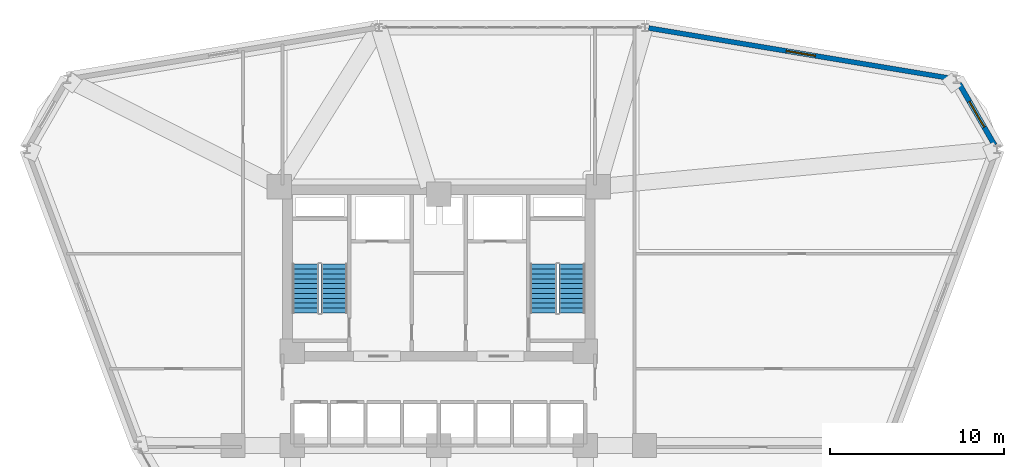
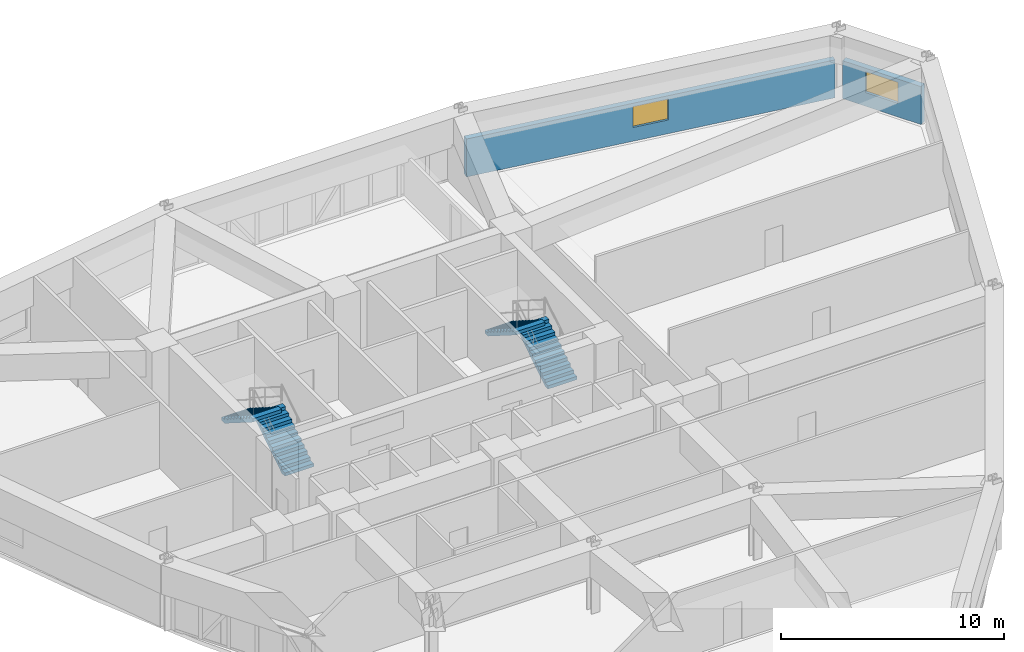
# One storey, part 16 of 18: 4 stair flights, 2 walls, 2 windows, 2 openings, 2 elements without a shape of their own.
"""IFC4 building model written with IfcOpenShell, lengths in metres."""

from ifc_helpers import new_model, si_unit, derived_unit, direction, frame, frame_2d, origin, place, context, subcontext, project, spatial, polyline, rectangle, outline, extrude, material, layer, layer_set, type_object, element, fill, aggregate, save


model = new_model("IFC4")

# Units and contexts
model_context = context("Model", 3, precision=1e-05, world=origin(), true_north=direction((0.0, 1.0)))
body_context = subcontext(model_context, "Body", "Model", "MODEL_VIEW")
ifc_project = project(units=[si_unit("LENGTHUNIT", "METRE"), si_unit("AREAUNIT", "SQUARE_METRE"), si_unit("VOLUMEUNIT", "CUBIC_METRE"), si_unit("PLANEANGLEUNIT", "RADIAN"), si_unit("MASSUNIT", "GRAM", prefix="KILO"), derived_unit("THERMALTRANSMITTANCEUNIT", [(si_unit("POWERUNIT", "WATT"), 1), (si_unit("LENGTHUNIT", "METRE"), -2), (si_unit("THERMODYNAMICTEMPERATUREUNIT", "KELVIN"), -1)])], contexts=[model_context])

# Site, building, storey
site_placement = place(None, origin())
site = spatial("IfcSite", under=ifc_project, at=site_placement, CompositionType="ELEMENT")
building_placement = place(site_placement, origin())
building = spatial("IfcBuilding", under=site, at=building_placement, Name="Korsvarv Bourse and Concert Hall", CompositionType="ELEMENT")
storey_placement = place(building_placement, frame((0.0, 0.0, 71.699951171875)))
storey = spatial("IfcBuildingStorey", under=building, at=storey_placement, Name="L17", CompositionType="ELEMENT", Elevation=71.699951171875)

# Wall, opening, window
ifc_material_1 = material(Name="Precast concrete C45/55 with terracotta rainscreen", Category="concrete")
ifc_layer_1 = layer(ifc_material_1, 0.300048828125)
ifc_layer_set_1 = layer_set([ifc_layer_1], Name="Precast concrete C45/55 with terracotta rainscreen")
wall_type_1 = type_object("IfcWallType", Name="WL-EXT-TC1", PredefinedType="SOLIDWALL", material=ifc_layer_set_1)
wall_1_placement = place(storey_placement, frame((67.876953125, 49.624267578125, 0.0), z_axis=(0.0, 0.0, 1.0), x_axis=(-0.500014317814, 0.866017137233, 0.0)))
wall_1 = element("IfcWall", 1, at=wall_1_placement, inside=storey, type_object=wall_type_1, Name="L17 terracotta exterior wall EW-L17-B01", PredefinedType="SOLIDWALL", context=body_context, shape_type="SweptSolid", body=[
    extrude(rectangle(XDim=4.0791015625, YDim=0.300048828125, at=frame_2d((2.03955078125, 0.0))), origin(), (0.0, 0.0, 1.0), 2.080078125),
])
opening_1_placement = place(wall_1_placement, frame((1.189453125, 0.0, 0.75)))
opening_1 = element("IfcOpeningElement", 2, at=opening_1_placement, cuts=wall_1, Name="Opening W-06", PredefinedType="OPENING", context=body_context, shape_type="SweptSolid", body=[
    extrude(rectangle(XDim=1.699951171875, YDim=1.14990234375, at=frame_2d((0.85009765625, 0.574951171875))), frame((0.0, 0.16015625, 0.0), z_axis=(0.0, -1.0, 0.0), x_axis=(1.0, 0.0, 0.0)), (0.0, 0.0, 1.0), 0.320068359375),
])
ifc_material_2 = material(Name="Thermally broken aluminium frame with triple low-E glass", Category="glass")
window_type = type_object("IfcWindowType", Name="WIN-TW1-1700X1150", PartitioningType="SINGLE_PANEL", PredefinedType="WINDOW", material=ifc_material_2)
window_1_placement = place(opening_1_placement, origin())
window_1 = element("IfcWindow", 3, at=window_1_placement, inside=storey, type_object=window_type, Name="L17 punched facade window W-06", OverallHeight=1.14990234375, OverallWidth=1.699951171875, PartitioningType="SINGLE_PANEL", PredefinedType="WINDOW", context=body_context, shape_type="SweptSolid", body=[
    extrude(rectangle(XDim=1.699951171875, YDim=1.14990234375, at=frame_2d((0.85009765625, 0.574951171875))), frame((0.0, 0.030029296875, 0.0), z_axis=(0.0, -1.0, 0.0), x_axis=(1.0, 0.0, 0.0)), (0.0, 0.0, 1.0), 0.06005859375),
])
fill(opening_1, window_1)

ifc_material_3 = material(Name="Precast concrete C45/55 with fluted terracotta pier", Category="concrete")
ifc_layer_2 = layer(ifc_material_3, 0.280029296875)
ifc_layer_set_2 = layer_set([ifc_layer_2], Name="Precast concrete C45/55 with fluted terracotta pier")
wall_type_2 = type_object("IfcWallType", Name="WL-EXT-TC2", PredefinedType="SOLIDWALL", material=ifc_layer_set_2)
wall_2_placement = place(storey_placement, frame((65.480712890625, 53.43505859375, 0.0), z_axis=(0.0, 0.0, 1.0), x_axis=(-0.986399895449, 0.16436315359, 0.0)))
wall_2 = element("IfcWall", 4, at=wall_2_placement, inside=storey, type_object=wall_type_2, Name="L17 terracotta exterior wall EW-L17-B02", PredefinedType="SOLIDWALL", context=body_context, shape_type="SweptSolid", body=[
    extrude(rectangle(XDim=17.677490234375, YDim=0.280029296875, at=frame_2d((8.8388671875, 0.0))), origin(), (0.0, 0.0, 1.0), 2.080078125),
])
opening_2_placement = place(wall_2_placement, frame((7.98876953125, 0.0, 0.75)))
opening_2 = element("IfcOpeningElement", 5, at=opening_2_placement, cuts=wall_2, Name="Opening W-06", PredefinedType="OPENING", context=body_context, shape_type="SweptSolid", body=[
    extrude(rectangle(XDim=1.699951171875, YDim=1.14990234375, at=frame_2d((0.85009765625, 0.574951171875))), frame((0.0, 0.14990234375, 0.0), z_axis=(0.0, -1.0, 0.0), x_axis=(1.0, 0.0, 0.0)), (0.0, 0.0, 1.0), 0.300048828125),
])
window_2_placement = place(opening_2_placement, origin())
window_2 = element("IfcWindow", 6, at=window_2_placement, inside=storey, type_object=window_type, Name="L17 punched facade window W-06", OverallHeight=1.14990234375, OverallWidth=1.699951171875, PartitioningType="SINGLE_PANEL", PredefinedType="WINDOW", context=body_context, shape_type="SweptSolid", body=[
    extrude(rectangle(XDim=1.699951171875, YDim=1.14990234375, at=frame_2d((0.85009765625, 0.574951171875))), frame((0.0, 0.030029296875, 0.0), z_axis=(0.0, -1.0, 0.0), x_axis=(1.0, 0.0, 0.0)), (0.0, 0.0, 1.0), 0.06005859375),
])
fill(opening_2, window_2)

# Stair, stair flights
ifc_material_4 = material(Name="Precast concrete C45/55", Category="concrete")
stair_type = type_object("IfcStairType", Name="STR-TYPE-03", PredefinedType="HALF_TURN_STAIR", material=ifc_material_4)
stair_1_placement = place(storey_placement, origin())
stair_1 = element("IfcStair", 7, at=stair_1_placement, inside=storey, type_object=stair_type, Name="L17 Tower West Exit Stair ST-T1", PredefinedType="HALF_TURN_STAIR")
stair_flight_type = type_object("IfcStairFlightType", Name="FLT-TYPE-03", PredefinedType="STRAIGHT", material=ifc_material_4)
stair_flight_1_placement = place(storey_placement, frame((30.010009765625, 40.0, 0.0), z_axis=(0.0, 0.0, 1.0), x_axis=(0.0, 1.0, 0.0)))
stair_flight_1 = element("IfcStairFlight", 8, at=stair_flight_1_placement, type_object=stair_flight_type, Name="ST-T1 flight 1", NumberOfRisers=11, NumberOfTreads=10, PredefinedType="STRAIGHT", RiserHeight=0.177272727, TreadLength=0.28, context=body_context, shape_type="SweptSolid", body=[
    extrude(outline(polyline([(0.0, 0.0), (0.0, 0.17724609375), (0.280029296875, 0.17724609375), (0.280029296875, 0.3544921875), (0.56005859375, 0.3544921875), (0.56005859375, 0.53173828125), (0.840087890625, 0.53173828125), (0.840087890625, 0.708984375), (1.1201171875, 0.708984375), (1.1201171875, 0.886474609375), (1.39990234375, 0.886474609375), (1.39990234375, 1.063720703125), (1.679931640625, 1.063720703125), (1.679931640625, 1.240966796875), (1.9599609375, 1.240966796875), (1.9599609375, 1.418212890625), (2.239990234375, 1.418212890625), (2.239990234375, 1.595458984375), (2.52001953125, 1.595458984375), (2.52001953125, 1.772705078125), (2.800048828125, 1.772705078125), (2.800048828125, 1.949951171875), (2.800048828125, 1.59521484375), (0.2802734375, 0.0), (0.0, 0.0)])), frame((0.0, 0.75, 0.0), z_axis=(0.0, -1.0, 0.0), x_axis=(1.0, 0.0, 0.0)), (0.0, 0.0, 1.0), 1.5),
])
stair_flight_2_placement = place(storey_placement, frame((28.35009765625, 42.800048828125, 1.949951171875), z_axis=(0.0, 0.0, 1.0), x_axis=(0.0, -1.0, 0.0)))
stair_flight_2 = element("IfcStairFlight", 9, at=stair_flight_2_placement, type_object=stair_flight_type, Name="ST-T1 flight 2", NumberOfRisers=11, NumberOfTreads=10, PredefinedType="STRAIGHT", RiserHeight=0.177272727, TreadLength=0.28, context=body_context, shape_type="SweptSolid", body=[
    extrude(outline(polyline([(0.0, 0.0), (0.0, 0.17724609375), (0.280029296875, 0.17724609375), (0.280029296875, 0.3544921875), (0.56005859375, 0.3544921875), (0.56005859375, 0.53173828125), (0.840087890625, 0.53173828125), (0.840087890625, 0.708984375), (1.1201171875, 0.708984375), (1.1201171875, 0.886474609375), (1.39990234375, 0.886474609375), (1.39990234375, 1.063720703125), (1.679931640625, 1.063720703125), (1.679931640625, 1.240966796875), (1.9599609375, 1.240966796875), (1.9599609375, 1.418212890625), (2.239990234375, 1.418212890625), (2.239990234375, 1.595458984375), (2.52001953125, 1.595458984375), (2.52001953125, 1.772705078125), (2.800048828125, 1.772705078125), (2.800048828125, 1.949951171875), (2.800048828125, 1.59521484375), (0.2802734375, 0.0), (0.0, 0.0)])), frame((0.0, 0.75, 0.0), z_axis=(0.0, -1.0, 0.0), x_axis=(1.0, 0.0, 0.0)), (0.0, 0.0, 1.0), 1.5),
])
aggregate(stair_1, [stair_flight_1, stair_flight_2])

stair_2_placement = place(storey_placement, origin())
stair_2 = element("IfcStair", 10, at=stair_2_placement, inside=storey, type_object=stair_type, Name="L17 Tower East Exit Stair ST-T2", PredefinedType="HALF_TURN_STAIR")
stair_flight_3_placement = place(storey_placement, frame((43.64990234375, 40.0, 0.0), z_axis=(0.0, 0.0, 1.0), x_axis=(0.0, 1.0, 0.0)))
stair_flight_3 = element("IfcStairFlight", 11, at=stair_flight_3_placement, type_object=stair_flight_type, Name="ST-T2 flight 1", NumberOfRisers=11, NumberOfTreads=10, PredefinedType="STRAIGHT", RiserHeight=0.177272727, TreadLength=0.28, context=body_context, shape_type="SweptSolid", body=[
    extrude(outline(polyline([(0.0, 0.0), (0.0, 0.17724609375), (0.280029296875, 0.17724609375), (0.280029296875, 0.3544921875), (0.56005859375, 0.3544921875), (0.56005859375, 0.53173828125), (0.840087890625, 0.53173828125), (0.840087890625, 0.708984375), (1.1201171875, 0.708984375), (1.1201171875, 0.886474609375), (1.39990234375, 0.886474609375), (1.39990234375, 1.063720703125), (1.679931640625, 1.063720703125), (1.679931640625, 1.240966796875), (1.9599609375, 1.240966796875), (1.9599609375, 1.418212890625), (2.239990234375, 1.418212890625), (2.239990234375, 1.595458984375), (2.52001953125, 1.595458984375), (2.52001953125, 1.772705078125), (2.800048828125, 1.772705078125), (2.800048828125, 1.949951171875), (2.800048828125, 1.59521484375), (0.2802734375, 0.0), (0.0, 0.0)])), frame((0.0, 0.75, 0.0), z_axis=(0.0, -1.0, 0.0), x_axis=(1.0, 0.0, 0.0)), (0.0, 0.0, 1.0), 1.5),
])
stair_flight_4_placement = place(storey_placement, frame((41.989990234375, 42.800048828125, 1.949951171875), z_axis=(0.0, 0.0, 1.0), x_axis=(0.0, -1.0, 0.0)))
stair_flight_4 = element("IfcStairFlight", 12, at=stair_flight_4_placement, type_object=stair_flight_type, Name="ST-T2 flight 2", NumberOfRisers=11, NumberOfTreads=10, PredefinedType="STRAIGHT", RiserHeight=0.177272727, TreadLength=0.28, context=body_context, shape_type="SweptSolid", body=[
    extrude(outline(polyline([(0.0, 0.0), (0.0, 0.17724609375), (0.280029296875, 0.17724609375), (0.280029296875, 0.3544921875), (0.56005859375, 0.3544921875), (0.56005859375, 0.53173828125), (0.840087890625, 0.53173828125), (0.840087890625, 0.708984375), (1.1201171875, 0.708984375), (1.1201171875, 0.886474609375), (1.39990234375, 0.886474609375), (1.39990234375, 1.063720703125), (1.679931640625, 1.063720703125), (1.679931640625, 1.240966796875), (1.9599609375, 1.240966796875), (1.9599609375, 1.418212890625), (2.239990234375, 1.418212890625), (2.239990234375, 1.595458984375), (2.52001953125, 1.595458984375), (2.52001953125, 1.772705078125), (2.800048828125, 1.772705078125), (2.800048828125, 1.949951171875), (2.800048828125, 1.59521484375), (0.2802734375, 0.0), (0.0, 0.0)])), frame((0.0, 0.75, 0.0), z_axis=(0.0, -1.0, 0.0), x_axis=(1.0, 0.0, 0.0)), (0.0, 0.0, 1.0), 1.5),
])
aggregate(stair_2, [stair_flight_3, stair_flight_4])

save(model, "model.ifc")
